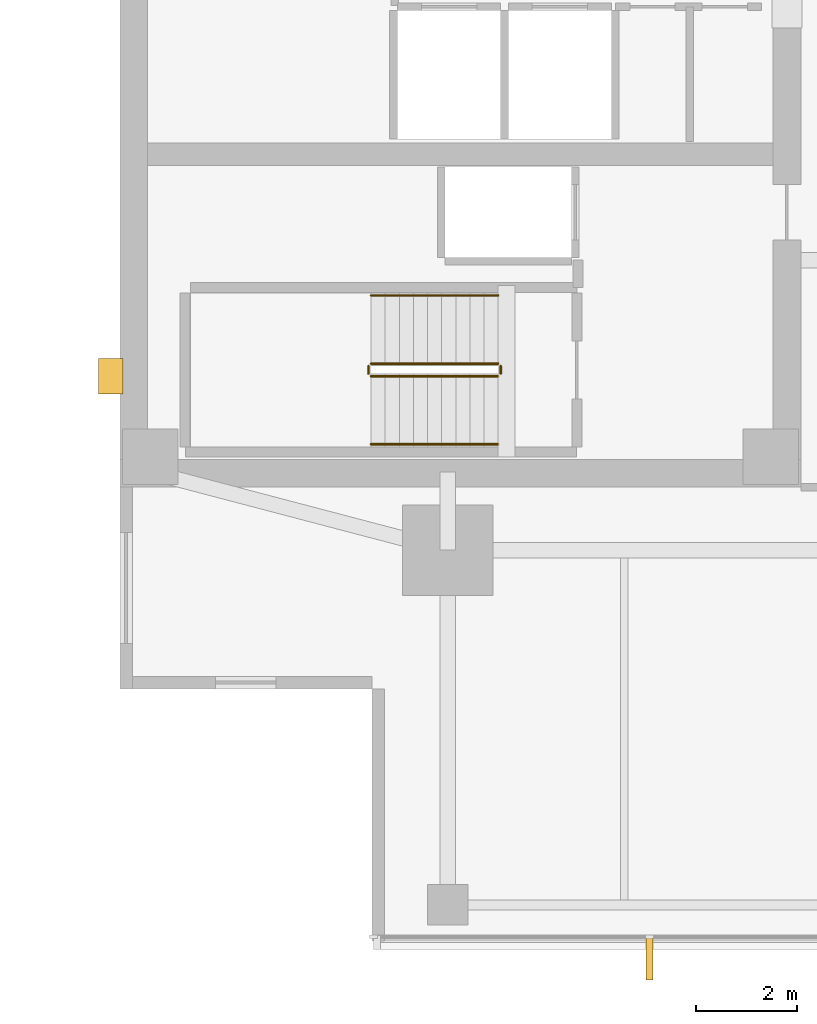
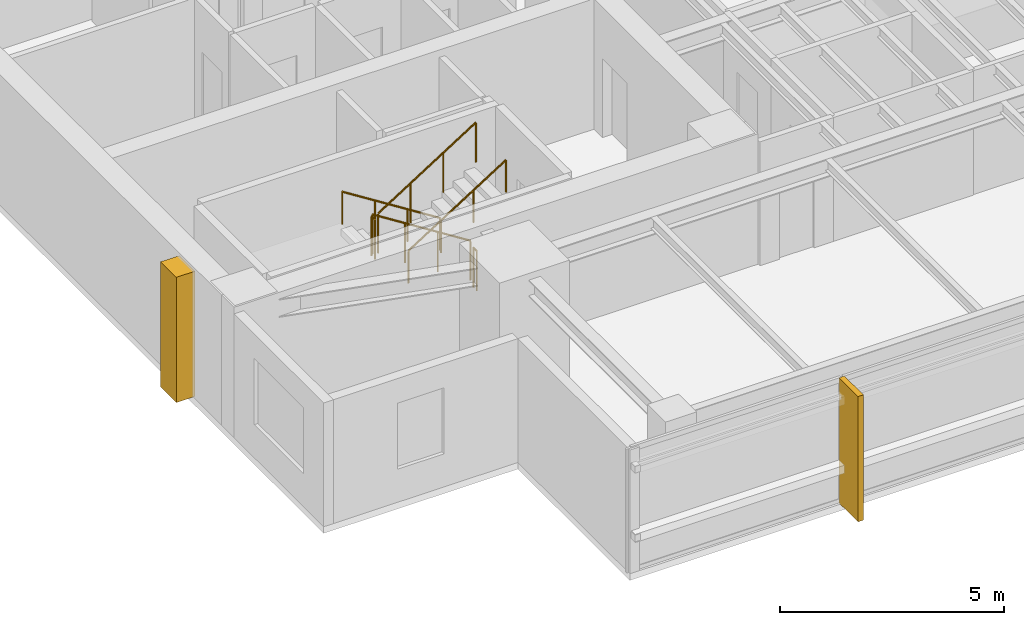
# One storey, part 11 of 14: 6 railings, 2 coverings.
"""IFC4 building model written with IfcOpenShell, lengths in metres."""

from ifc_helpers import new_model, si_unit, direction, frame, origin, origin_2d, place, context, subcontext, project, spatial, polyline, circle, outline, extrude, material, layer, layer_set, type_object, element, save


model = new_model("IFC4")

# Units and contexts
model_context = context("Model", 3, precision=1e-05, world=origin(), true_north=direction((0.0, 1.0)))
body_context = subcontext(model_context, "Body", "Model", "MODEL_VIEW")
ifc_project = project(units=[si_unit("LENGTHUNIT", "METRE"), si_unit("AREAUNIT", "SQUARE_METRE"), si_unit("VOLUMEUNIT", "CUBIC_METRE"), si_unit("PLANEANGLEUNIT", "RADIAN"), si_unit("MASSUNIT", "GRAM", prefix="KILO")], contexts=[model_context])

# Site, building, storey
site_placement = place(None, origin())
site = spatial("IfcSite", under=ifc_project, at=site_placement, CompositionType="ELEMENT")
building_placement = place(site_placement, origin())
building = spatial("IfcBuilding", under=site, at=building_placement, Name="Kinhvarn Gate Tower", CompositionType="ELEMENT")
storey_placement = place(building_placement, frame((0.0, 0.0, 202.25)))
storey = spatial("IfcBuildingStorey", under=building, at=storey_placement, Name="L53", CompositionType="ELEMENT", Elevation=202.25)

# Coverings
ifc_material_1 = material(Name="Fired architectural terracotta", Category="masonry")
ifc_layer_1 = layer(ifc_material_1, 0.139892578125)
ifc_layer_set_1 = layer_set([ifc_layer_1], Name="Fired architectural terracotta")
covering_type_1 = type_object("IfcCoveringType", Name="COV-FIN-850", PredefinedType="CLADDING", material=ifc_layer_set_1)
covering_1_placement = place(storey_placement, frame((0.0, 0.0, -0.02001953125)))
element("IfcCovering", 1, at=covering_1_placement, inside=storey, type_object=covering_type_1, Name="Vertical Terracotta Expressive Fin TFN-850 (L53)", PredefinedType="CLADDING", context=body_context, shape_type="SweptSolid", body=[
    extrude(outline(polyline([(14.929931640625, 5.080078125), (15.070068359375, 5.080078125), (15.070068359375, 4.22998046875), (14.929931640625, 4.22998046875), (14.929931640625, 5.080078125)])), origin(), (0.0, 0.0, 1.0), 3.409912109375),
])
ifc_material_2 = material(Name="Precast white architectural concrete C40/50", Category="concrete")
ifc_layer_2 = layer(ifc_material_2, 0.47998046875)
ifc_layer_set_2 = layer_set([ifc_layer_2], Name="Precast white architectural concrete C40/50")
covering_type_2 = type_object("IfcCoveringType", Name="COV-RIB-450", PredefinedType="CLADDING", material=ifc_layer_set_2)
covering_2_placement = place(storey_placement, frame((0.0, 0.0, -0.02001953125)))
element("IfcCovering", 2, at=covering_2_placement, inside=storey, type_object=covering_type_2, Name="West Core Sculptural Concrete Relief Rib CRB-450 (L53)", PredefinedType="CLADDING", context=body_context, shape_type="SweptSolid", body=[
    extrude(outline(polyline([(4.080078125, 15.85009765625), (4.56005859375, 15.85009765625), (4.56005859375, 16.550048828125), (4.080078125, 16.550048828125), (4.080078125, 15.85009765625)])), origin(), (0.0, 0.0, 1.0), 3.409912109375),
])

# Railings
ifc_material_3 = material(Name="Steel S355", Category="steel")
railing_type_1 = type_object("IfcRailingType", Name="RL-ST-GRD", PredefinedType="BALUSTRADE", material=ifc_material_3)
railing_1_placement = place(storey_placement, frame((12.0, 16.449951171875, 0.177490234375)))
element("IfcRailing", 3, at=railing_1_placement, inside=storey, type_object=railing_type_1, Name="L53 ST1 stair guard 1", PredefinedType="BALUSTRADE", context=body_context, shape_type="SweptSolid", body=[
    extrude(circle(Radius=0.02392578125, at=origin_2d()), frame((0.0, 0.0, 1.076171875), z_axis=(-0.84460694969, 0.0, 0.535386869969), x_axis=(0.0, -1.0, 0.0)), (0.0, 0.0, 1.0), 2.983642578125),
    extrude(circle(Radius=0.02099609375, at=origin_2d()), origin(), (0.0, 0.0, 1.0), 1.052001953125),
    extrude(circle(Radius=0.02099609375, at=origin_2d()), frame((-0.840087890625, 0.0, 0.532470703125)), (0.0, 0.0, 1.0), 1.052001953125),
    extrude(circle(Radius=0.02099609375, at=origin_2d()), frame((-1.679931640625, 0.0, 1.06494140625)), (0.0, 0.0, 1.0), 1.052001953125),
    extrude(circle(Radius=0.02099609375, at=origin_2d()), frame((-2.52001953125, 0.0, 1.597412109375)), (0.0, 0.0, 1.0), 1.052001953125),
])
railing_2_placement = place(storey_placement, frame((9.429931640625, 16.39990234375, 1.77490234375)))
element("IfcRailing", 4, at=railing_2_placement, inside=storey, type_object=railing_type_1, Name="L53 ST1 stair guard 2", PredefinedType="BALUSTRADE", context=body_context, shape_type="SweptSolid", body=[
    extrude(circle(Radius=0.02392578125, at=origin_2d()), frame((0.0, 0.0, 1.076171875), z_axis=(0.0, -1.0, 0.0), x_axis=(1.0, 0.0, 0.0)), (0.0, 0.0, 1.0), 0.14990234375),
    extrude(circle(Radius=0.02099609375, at=origin_2d()), origin(), (0.0, 0.0, 1.0), 1.052001953125),
    extrude(circle(Radius=0.02099609375, at=origin_2d()), frame((0.0, -0.14990234375, 0.0)), (0.0, 0.0, 1.0), 1.052001953125),
])
railing_3_placement = place(storey_placement, frame((9.47998046875, 16.199951171875, 1.952392578125)))
element("IfcRailing", 5, at=railing_3_placement, inside=storey, type_object=railing_type_1, Name="L53 ST1 stair guard 3", PredefinedType="BALUSTRADE", context=body_context, shape_type="SweptSolid", body=[
    extrude(circle(Radius=0.02392578125, at=origin_2d()), frame((0.0, 0.0, 1.076171875), z_axis=(0.84456994832, 0.0, 0.535445237532), x_axis=(0.0, 1.0, 0.0)), (0.0, 0.0, 1.0), 2.98388671875),
    extrude(circle(Radius=0.02099609375, at=origin_2d()), origin(), (0.0, 0.0, 1.0), 1.052001953125),
    extrude(circle(Radius=0.02099609375, at=origin_2d()), frame((0.840087890625, 0.0, 0.532470703125)), (0.0, 0.0, 1.0), 1.052001953125),
    extrude(circle(Radius=0.02099609375, at=origin_2d()), frame((1.679931640625, 0.0, 1.065185546875)), (0.0, 0.0, 1.0), 1.052001953125),
    extrude(circle(Radius=0.02099609375, at=origin_2d()), frame((2.52001953125, 0.0, 1.59765625)), (0.0, 0.0, 1.0), 1.052001953125),
])
railing_4_placement = place(storey_placement, frame((12.050048828125, 16.39990234375, 0.0)))
element("IfcRailing", 6, at=railing_4_placement, inside=storey, type_object=railing_type_1, Name="L53 ST1 stair guard 4", PredefinedType="BALUSTRADE", context=body_context, shape_type="SweptSolid", body=[
    extrude(circle(Radius=0.02392578125, at=origin_2d()), frame((0.0, 0.0, 1.076171875), z_axis=(0.0, -1.0, 0.0), x_axis=(1.0, 0.0, 0.0)), (0.0, 0.0, 1.0), 0.14990234375),
    extrude(circle(Radius=0.02099609375, at=origin_2d()), origin(), (0.0, 0.0, 1.0), 1.052001953125),
    extrude(circle(Radius=0.02099609375, at=origin_2d()), frame((0.0, -0.14990234375, 0.0)), (0.0, 0.0, 1.0), 1.052001953125),
])
railing_type_2 = type_object("IfcRailingType", Name="RL-ST-HND", PredefinedType="HANDRAIL", material=ifc_material_3)
railing_5_placement = place(storey_placement, frame((12.0, 17.800048828125, 0.177490234375)))
element("IfcRailing", 7, at=railing_5_placement, inside=storey, type_object=railing_type_2, Name="L53 ST1 stair handrail 1", PredefinedType="HANDRAIL", context=body_context, shape_type="SweptSolid", body=[
    extrude(circle(Radius=0.02392578125, at=origin_2d()), frame((0.0, 0.0, 0.8759765625), z_axis=(-0.84460694969, 0.0, 0.535386869969), x_axis=(0.0, -1.0, 0.0)), (0.0, 0.0, 1.0), 2.983642578125),
    extrude(circle(Radius=0.02099609375, at=origin_2d()), origin(), (0.0, 0.0, 1.0), 0.851806640625),
    extrude(circle(Radius=0.02099609375, at=origin_2d()), frame((-0.840087890625, 0.0, 0.532470703125)), (0.0, 0.0, 1.0), 0.851806640625),
    extrude(circle(Radius=0.02099609375, at=origin_2d()), frame((-1.679931640625, 0.0, 1.06494140625)), (0.0, 0.0, 1.0), 0.851806640625),
    extrude(circle(Radius=0.02099609375, at=origin_2d()), frame((-2.52001953125, 0.0, 1.597412109375)), (0.0, 0.0, 1.0), 0.851806640625),
])
railing_6_placement = place(storey_placement, frame((9.47998046875, 14.85009765625, 1.952392578125)))
element("IfcRailing", 8, at=railing_6_placement, inside=storey, type_object=railing_type_2, Name="L53 ST1 stair handrail 2", PredefinedType="HANDRAIL", context=body_context, shape_type="SweptSolid", body=[
    extrude(circle(Radius=0.02392578125, at=origin_2d()), frame((0.0, 0.0, 0.8759765625), z_axis=(0.84456994832, 0.0, 0.535445237532), x_axis=(0.0, 1.0, 0.0)), (0.0, 0.0, 1.0), 2.98388671875),
    extrude(circle(Radius=0.02099609375, at=origin_2d()), origin(), (0.0, 0.0, 1.0), 0.851806640625),
    extrude(circle(Radius=0.02099609375, at=origin_2d()), frame((0.840087890625, 0.0, 0.532470703125)), (0.0, 0.0, 1.0), 0.851806640625),
    extrude(circle(Radius=0.02099609375, at=origin_2d()), frame((1.679931640625, 0.0, 1.065185546875)), (0.0, 0.0, 1.0), 0.851806640625),
    extrude(circle(Radius=0.02099609375, at=origin_2d()), frame((2.52001953125, 0.0, 1.59765625)), (0.0, 0.0, 1.0), 0.851806640625),
])

save(model, "model.ifc")
